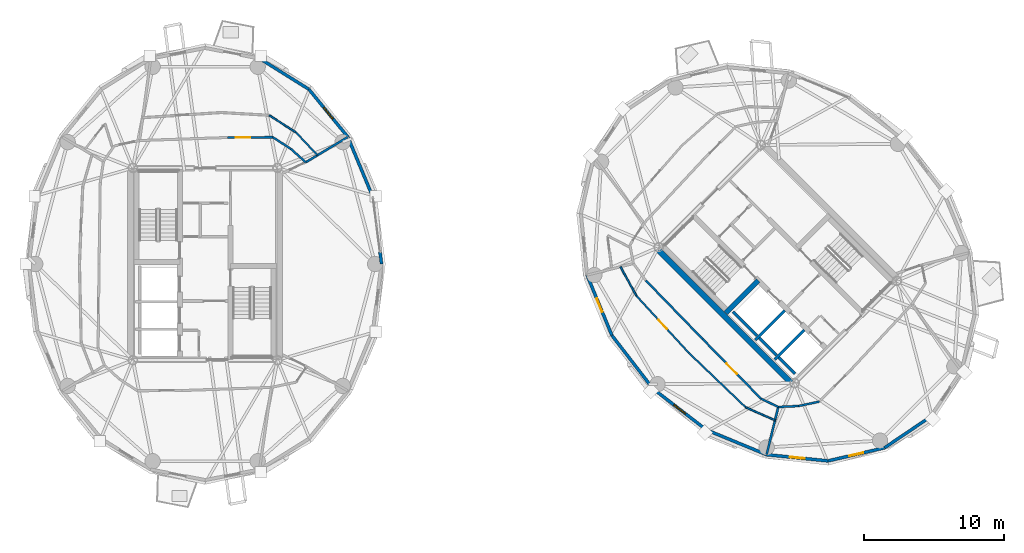
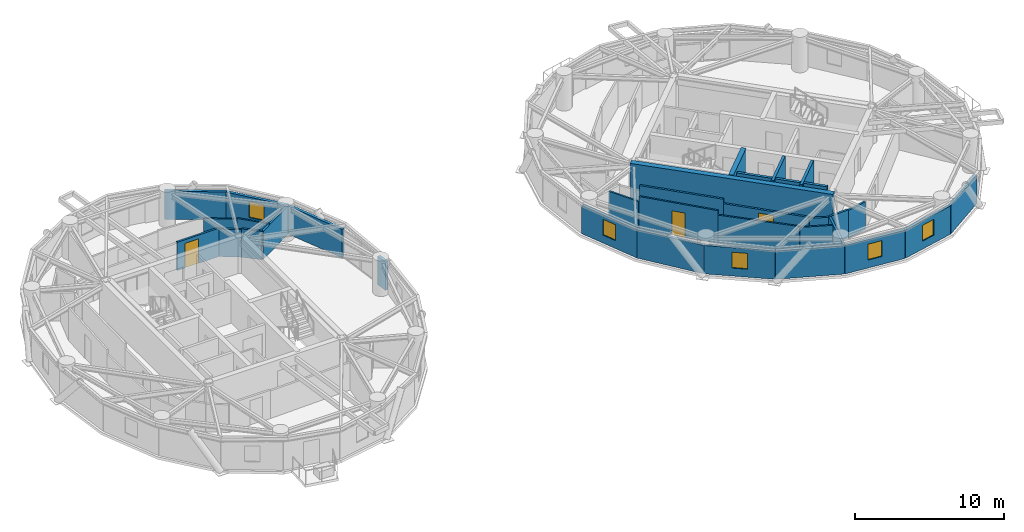
# One storey, part 10 of 16: 34 walls, 5 windows, 3 doors, 8 openings.
"""IFC4 building model written with IfcOpenShell, lengths in metres."""

import ifcopenshell
import ifcopenshell.guid

model = None  # the IFC model being written
_history = None  # IfcOwnerHistory: only IFC2X3 demands one
_inside = {}  # id of a spatial element -> (the spatial element, [elements in it])
_under = {}  # id of a project, library or spatial element -> (it, [spatial elements below it])
_declared = {}  # id of a project -> (the project, [libraries it declares])
_typed = {}  # id of a type object -> (the type object, [elements of that type])
_made_of = {}  # id of a material, layer set ... -> (it, [elements and type objects made of it])


def new_model(schema):
    """Start an empty IFC model of exactly this schema.

    Asked for "IFC4X3", IfcOpenShell would pick the latest addendum, in which some entities
    have other attributes; the version numbers below select the first issue.
    IFC2X3 requires an IfcOwnerHistory on every rooted entity: one is made here for all.
    """
    global model, _history
    if schema == "IFC4X3":
        model = ifcopenshell.file(schema_version=(4, 3, 0, 0))
    else:
        model = ifcopenshell.file(schema=schema)
    _inside.clear()
    _under.clear()
    _declared.clear()
    _typed.clear()
    _made_of.clear()
    _history = None
    if model.schema == "IFC2X3":
        org = make("IfcOrganization", Name="unknown")
        user = make(
            "IfcPersonAndOrganization",
            ThePerson=make("IfcPerson", FamilyName="unknown"),
            TheOrganization=org,
        )
        app = make(
            "IfcApplication",
            ApplicationDeveloper=org,
            Version="unknown",
            ApplicationFullName="unknown",
            ApplicationIdentifier="unknown",
        )
        _history = make(
            "IfcOwnerHistory",
            OwningUser=user,
            OwningApplication=app,
            ChangeAction="ADDED",
            CreationDate=0,
        )
    return model


def make(cls, **values):
    """One entity of the class cls with the attributes given. An attribute that is None is left unset."""
    return model.create_entity(
        cls, **{name: value for name, value in values.items() if value is not None}
    )


def rooted(cls, **values):
    """An entity with a GlobalId (a new one), such as an element, a storey or a relation."""
    return make(cls, GlobalId=ifcopenshell.guid.new(), OwnerHistory=_history, **values)


def si_unit(unit_type, name, prefix=None):
    """IfcSIUnit, for example si_unit("LENGTHUNIT", "METRE", prefix="MILLI")."""
    return make("IfcSIUnit", UnitType=unit_type, Prefix=prefix, Name=name)


def assignment(units):
    """IfcUnitAssignment: the units of a project."""
    return None if units is None else make("IfcUnitAssignment", Units=units)


def point(xyz):
    """IfcCartesianPoint."""
    return None if xyz is None else make("IfcCartesianPoint", Coordinates=xyz)


def direction(xyz):
    """IfcDirection."""
    return None if xyz is None else make("IfcDirection", DirectionRatios=xyz)


def frame(location, z_axis=None, x_axis=None):
    """IfcAxis2Placement3D, a coordinate frame: its origin and axes. An axis left out is left unset."""
    return make(
        "IfcAxis2Placement3D",
        Location=point(location),
        Axis=direction(z_axis),
        RefDirection=direction(x_axis),
    )


def frame_2d(location, x_axis=None):
    """IfcAxis2Placement2D, a coordinate frame in the plane: its origin and x axis."""
    return make(
        "IfcAxis2Placement2D", Location=point(location), RefDirection=direction(x_axis)
    )


def origin():
    """The frame at (0, 0, 0) with its axes left unset."""
    return frame((0.0, 0.0, 0.0))


def place(relative_to, where):
    """IfcLocalPlacement: puts the frame where relative to a parent placement (None: the world)."""
    return make(
        "IfcLocalPlacement", PlacementRelTo=relative_to, RelativePlacement=where
    )


def context(
    kind, dimensions, precision=None, world=None, true_north=None, identifier=None
):
    """IfcGeometricRepresentationContext, for example the 3D "Model" context."""
    return make(
        "IfcGeometricRepresentationContext",
        ContextIdentifier=identifier,
        ContextType=kind,
        CoordinateSpaceDimension=dimensions,
        Precision=precision,
        WorldCoordinateSystem=world,
        TrueNorth=true_north,
    )


def subcontext(parent, identifier, kind, view, scale=None):
    """IfcGeometricRepresentationSubContext, for example "Body" below "Model"."""
    return make(
        "IfcGeometricRepresentationSubContext",
        ContextIdentifier=identifier,
        ContextType=kind,
        ParentContext=parent,
        TargetScale=scale,
        TargetView=view,
    )


def project(units=None, contexts=None):
    """IfcProject with its units and contexts."""
    return rooted(
        "IfcProject",
        Name="project",
        RepresentationContexts=contexts,
        UnitsInContext=assignment(units),
    )


def spatial(cls, under=None, at=None, **own):
    """A site, building, storey or space (cls), placed at a placement, below another one or the project."""
    s = rooted(cls, ObjectPlacement=at, **own)
    if under is not None:
        _under.setdefault(under.id(), (under, []))[1].append(s)
    return s


def profile(cls, at=None, kind="AREA", **sizes):
    """A parametric profile (cls). Its sizes go by their IFC names, for example OverallWidth=200.0."""
    return make(cls, ProfileType=kind, Position=at, **sizes)


def rectangle(**sizes):
    """IfcRectangleProfileDef."""
    return profile("IfcRectangleProfileDef", **sizes)


def extrude(swept, where, along, depth):
    """IfcExtrudedAreaSolid: the profile swept, set in the frame where, extruded along a direction by depth."""
    return make(
        "IfcExtrudedAreaSolid",
        SweptArea=swept,
        Position=where,
        ExtrudedDirection=direction(along),
        Depth=depth,
    )


def shape(context_of_items, identifier, shape_type, items):
    """IfcShapeRepresentation: the items that make up one representation, for example the "Body"."""
    return make(
        "IfcShapeRepresentation",
        ContextOfItems=context_of_items,
        RepresentationIdentifier=identifier,
        RepresentationType=shape_type,
        Items=items,
    )


def source(mapping_origin, context_of_items, identifier, shape_type, items):
    """IfcRepresentationMap: a shape defined once, which mapped items show again and again."""
    return make(
        "IfcRepresentationMap",
        MappingOrigin=mapping_origin,
        MappedRepresentation=shape(context_of_items, identifier, shape_type, items),
    )


def transform(
    local_origin,
    x_axis=None,
    y_axis=None,
    z_axis=None,
    scale=None,
    scale2=None,
    scale3=None,
    uniform=True,
):
    """IfcCartesianTransformationOperator3D, or its non-uniform kind. x_axis, y_axis, z_axis: its Axis1, 2, 3."""
    if uniform:
        return make(
            "IfcCartesianTransformationOperator3D",
            Axis1=direction(x_axis),
            Axis2=direction(y_axis),
            LocalOrigin=point(local_origin),
            Scale=scale,
            Axis3=direction(z_axis),
        )
    return make(
        "IfcCartesianTransformationOperator3DnonUniform",
        Axis1=direction(x_axis),
        Axis2=direction(y_axis),
        LocalOrigin=point(local_origin),
        Scale=scale,
        Axis3=direction(z_axis),
        Scale2=scale2,
        Scale3=scale3,
    )


def mapped(mapping_source, mapping_target):
    """IfcMappedItem: shows the shape of a source again, moved by a transform."""
    return make(
        "IfcMappedItem", MappingSource=mapping_source, MappingTarget=mapping_target
    )


def material(Name=None, Category=None):
    """IfcMaterial."""
    return make("IfcMaterial", Name=Name, Category=Category)


def layer(
    of_material, thickness, ventilated=None, Name=None, Category=None, Priority=None
):
    """IfcMaterialLayer: one layer of a wall or slab, of a material (None: an air gap)."""
    return make(
        "IfcMaterialLayer",
        Material=of_material,
        LayerThickness=thickness,
        IsVentilated=ventilated,
        Name=Name,
        Category=Category,
        Priority=Priority,
    )


def layer_set(layers, Name=None):
    """IfcMaterialLayerSet."""
    return make("IfcMaterialLayerSet", MaterialLayers=layers, LayerSetName=Name)


def made_of(thing, what):
    """Note that an element or type object is made of a material, layer set ...; save() writes the relation."""
    if what is not None:
        _made_of.setdefault(what.id(), (what, []))[1].append(thing)
    return thing


def type_object(cls, material=None, **own):
    """A type object (cls), such as IfcWallType, which elements share."""
    return made_of(rooted(cls, **own), material)


def element(
    cls,
    number,
    at=None,
    inside=None,
    cuts=None,
    type_object=None,
    material=None,
    context=None,
    identifier="Body",
    shape_type=None,
    held_by="IfcProductDefinitionShape",
    body=None,
    shapes=None,
    **own,
):
    """One element of the class cls, such as IfcWall. Its Tag is "e" and its number.

    at: its placement. inside: the storey or other place that contains it. cuts: it is an
    opening in that element (IfcRelVoidsElement). A single representation is given by context,
    identifier, shape_type and body (its items); several are given by shapes. held_by: the class
    of the entity that holds the representations. save() writes the other relations.
    """
    e = rooted(cls, Tag="e%d" % number, ObjectPlacement=at, **own)
    if body is not None:
        shapes = [shape(context, identifier, shape_type, body)]
    if shapes is not None:
        e.Representation = make(held_by, Representations=shapes)
    if inside is not None:
        _inside.setdefault(inside.id(), (inside, []))[1].append(e)
    if cuts is not None:
        rooted(
            "IfcRelVoidsElement", RelatingBuildingElement=cuts, RelatedOpeningElement=e
        )
    if type_object is not None:
        _typed.setdefault(type_object.id(), (type_object, []))[1].append(e)
    return made_of(e, material)


def fill(opening, filler):
    """IfcRelFillsElement: the door or window that sits in an opening."""
    return rooted(
        "IfcRelFillsElement",
        RelatingOpeningElement=opening,
        RelatedBuildingElement=filler,
    )


def aggregate(whole, parts):
    """IfcRelAggregates: a whole, such as a stair, and the parts it consists of."""
    return rooted("IfcRelAggregates", RelatingObject=whole, RelatedObjects=parts)


def save(model, path):
    """Write the relations noted so far, then the file.

    IfcRelAggregates (storeys below a building ...), IfcRelContainedInSpatialStructure (elements
    in a storey), IfcRelDefinesByType, IfcRelAssociatesMaterial and IfcRelDeclares: one each for
    every whole, place, type object, material and project.
    """
    for whole, parts in _under.values():
        aggregate(whole, parts)
    for where, things in _inside.values():
        rooted(
            "IfcRelContainedInSpatialStructure",
            RelatedElements=things,
            RelatingStructure=where,
        )
    for kind, things in _typed.values():
        rooted("IfcRelDefinesByType", RelatedObjects=things, RelatingType=kind)
    for what, things in _made_of.values():
        rooted("IfcRelAssociatesMaterial", RelatedObjects=things, RelatingMaterial=what)
    for by, libraries in _declared.values():
        rooted("IfcRelDeclares", RelatingContext=by, RelatedDefinitions=libraries)
    model.write(path)


model = new_model("IFC4")

# Units and contexts
model_context = context("Model", 3, precision=1e-05, world=origin(), true_north=direction((0.0, 1.0)))
body_context = subcontext(model_context, "Body", "Model", "MODEL_VIEW")
ifc_project = project(units=[si_unit("LENGTHUNIT", "METRE"), si_unit("AREAUNIT", "SQUARE_METRE"), si_unit("VOLUMEUNIT", "CUBIC_METRE"), si_unit("PLANEANGLEUNIT", "RADIAN"), si_unit("MASSUNIT", "GRAM", prefix="KILO")], contexts=[model_context])

# Site, building, storey
site_placement = place(None, origin())
site = spatial("IfcSite", under=ifc_project, at=site_placement, CompositionType="ELEMENT")
building_placement = place(site_placement, origin())
building = spatial("IfcBuilding", under=site, at=building_placement, Name="Cununo Teusaquillo Station Towers", CompositionType="ELEMENT")
storey_placement = place(building_placement, frame((0.0, 0.0, 214.1201171875)))
storey = spatial("IfcBuildingStorey", under=building, at=storey_placement, Name="L68", CompositionType="ELEMENT", Elevation=214.1201171875)

# Walls
ifc_material_1 = material(Name="Concrete C50/60", Category="concrete")
ifc_layer_1 = layer(ifc_material_1, 0.199951171875)
ifc_layer_set_1 = layer_set([ifc_layer_1], Name="Concrete C50/60")
wall_type_1 = type_object("IfcWallType", Name="WL-CORE-200", PredefinedType="SHEAR", material=ifc_layer_set_1)
wall_1_placement = place(storey_placement, frame((55.8876953125, 19.0693359375, 0.0), z_axis=(0.0, 0.0, 1.0), x_axis=(0.707106781187, 0.707106781187, 0.0)))
element("IfcWall", 1, at=wall_1_placement, inside=storey, type_object=wall_type_1, Name="L68 Tower B Firefighting Lift Shaft South Shear Wall", PredefinedType="SHEAR", context=body_context, shape_type="SweptSolid", body=[
    extrude(rectangle(XDim=2.969970703125, YDim=0.199951171875, at=frame_2d((1.48486328125, 0.0))), origin(), (0.0, 0.0, 1.0), 2.909912109375),
])
wall_2_placement = place(storey_placement, frame((56.01513671875, 19.366455078125, 0.0), z_axis=(0.0, 0.0, 1.0), x_axis=(-0.707106781187, 0.707106781187, 0.0)))
element("IfcWall", 2, at=wall_2_placement, inside=storey, type_object=wall_type_1, Name="L68 Tower B Firefighting Lift Shaft Rear Shear Wall", PredefinedType="SHEAR", context=body_context, shape_type="SweptSolid", body=[
    extrude(rectangle(XDim=2.43994140625, YDim=0.199951171875, at=frame_2d((1.219970703125, 0.0))), origin(), (0.0, 0.0, 1.0), 2.909912109375),
])
wall_3_placement = place(storey_placement, frame((57.2841796875, 17.6728515625, 0.0), z_axis=(0.0, 0.0, 1.0), x_axis=(0.707147878904, 0.70706568108, 0.0)))
element("IfcWall", 3, at=wall_3_placement, inside=storey, type_object=wall_type_1, Name="L68 Tower B High-Rise Lift Hoistway Divider Shear Wall", PredefinedType="SHEAR", context=body_context, shape_type="SweptSolid", body=[
    extrude(rectangle(XDim=2.97021484375, YDim=0.199951171875, at=frame_2d((1.485107421875, 0.0))), origin(), (0.0, 0.0, 1.0), 2.909912109375),
])
wall_4_placement = place(storey_placement, frame((57.41162109375, 17.969970703125, 0.0), z_axis=(0.0, 0.0, 1.0), x_axis=(-0.707106781187, 0.707106781187, 0.0)))
element("IfcWall", 4, at=wall_4_placement, inside=storey, type_object=wall_type_1, Name="L68 Tower B High-Rise Lift 2 Shaft Rear Shear Wall", PredefinedType="SHEAR", context=body_context, shape_type="SweptSolid", body=[
    extrude(rectangle(XDim=1.73486328125, YDim=0.199951171875, at=frame_2d((0.867431640625, 0.0))), origin(), (0.0, 0.0, 1.0), 2.909912109375),
])
wall_5_placement = place(storey_placement, frame((58.7373046875, 16.64404296875, 0.0), z_axis=(0.0, 0.0, 1.0), x_axis=(-0.707032117043, 0.707181437447, 0.0)))
element("IfcWall", 5, at=wall_5_placement, inside=storey, type_object=wall_type_1, Name="L68 Tower B High-Rise Lift 1 Shaft Rear Shear Wall", PredefinedType="SHEAR", context=body_context, shape_type="SweptSolid", body=[
    extrude(rectangle(XDim=1.635009765625, YDim=0.199951171875, at=frame_2d((0.8173828125, 0.0))), origin(), (0.0, 0.0, 1.0), 2.909912109375),
])
ifc_material_2 = material(Name="Concrete C50/60", Category="concrete")
ifc_layer_2 = layer(ifc_material_2, 0.35009765625)
ifc_layer_set_2 = layer_set([ifc_layer_2], Name="Concrete C50/60")
wall_type_2 = type_object("IfcWallType", Name="WL-CORE-350", PredefinedType="SHEAR", material=ifc_layer_set_2)
wall_6_placement = place(storey_placement, frame((53.7841796875, 21.00341796875, 0.0), z_axis=(0.0, 0.0, 1.0), x_axis=(0.707106781187, 0.707106781187, 0.0)))
element("IfcWall", 6, at=wall_6_placement, inside=storey, type_object=wall_type_2, Name="L68 Tower B Core Shear Wall ST1S", PredefinedType="SHEAR", context=body_context, shape_type="SweptSolid", body=[
    extrude(rectangle(XDim=3.284912109375, YDim=0.35009765625, at=frame_2d((1.642578125, 0.0))), origin(), (0.0, 0.0, 1.0), 2.909912109375),
])
ifc_material_3 = material(Name="Concrete C50/60", Category="concrete")
ifc_layer_3 = layer(ifc_material_3, 0.39990234375)
ifc_layer_set_3 = layer_set([ifc_layer_3], Name="Concrete C50/60")
wall_type_3 = type_object("IfcWallType", Name="WL-CORE-400", PredefinedType="SHEAR", material=ifc_layer_set_3)
wall_7_placement = place(storey_placement, frame((58.7021484375, 15.73193359375, 0.0), z_axis=(0.0, 0.0, 1.0), x_axis=(-0.707106781187, 0.707106781187, 0.0)))
element("IfcWall", 7, at=wall_7_placement, inside=storey, type_object=wall_type_3, Name="L68 Tower B Core Shear Wall W", PredefinedType="SHEAR", context=body_context, shape_type="SweptSolid", body=[
    extrude(rectangle(XDim=14.10009765625, YDim=0.39990234375, at=frame_2d((7.050048828125, 0.0))), origin(), (0.0, 0.0, 1.0), 2.909912109375),
])
ifc_material_4 = material(Name="Precast concrete C40/50", Category="concrete")
ifc_layer_4 = layer(ifc_material_4, 0.219970703125)
ifc_layer_set_4 = layer_set([ifc_layer_4], Name="Precast concrete C40/50")
wall_type_4 = type_object("IfcWallType", Name="WL-EXT-220", PredefinedType="SOLIDWALL", material=ifc_layer_set_4)
wall_8_placement = place(storey_placement, frame((29.018310546875, 25.36279296875, 0.0), z_axis=(0.0, 0.0, 1.0), x_axis=(0.128247365719, -0.991742211054, 0.0)))
element("IfcWall", 8, at=wall_8_placement, inside=storey, type_object=wall_type_4, Name="L68 Tower A Column Pier Cladding Wall C00-PB", PredefinedType="SOLIDWALL", context=body_context, shape_type="SweptSolid", body=[
    extrude(rectangle(XDim=0.869873046875, YDim=0.219970703125, at=frame_2d((0.43505859375, 0.0))), origin(), (0.0, 0.0, 1.0), 2.32177734375),
])
wall_9_placement = place(storey_placement, frame((26.718017578125, 33.593017578125, 0.0), z_axis=(0.0, 0.0, 1.0), x_axis=(0.384036305194, -0.923317993052, 0.0)))
element("IfcWall", 9, at=wall_9_placement, inside=storey, type_object=wall_type_4, Name="L68 Tower A Exterior Facade Wall C01", PredefinedType="SOLIDWALL", context=body_context, shape_type="SweptSolid", body=[
    extrude(rectangle(XDim=4.670654296875, YDim=0.219970703125, at=frame_2d((2.33544921875, 0.0))), origin(), (0.0, 0.0, 1.0), 2.32177734375),
])

# Wall, opening, window
wall_10_placement = place(storey_placement, frame((23.923583984375, 37.015380859375, 0.0), z_axis=(0.0, 0.0, 1.0), x_axis=(0.632467166636, -0.774587169483, 0.0)))
wall_10 = element("IfcWall", 10, at=wall_10_placement, inside=storey, type_object=wall_type_4, Name="L68 Tower A Exterior Facade Wall C02", PredefinedType="SOLIDWALL", context=body_context, shape_type="SweptSolid", body=[
    extrude(rectangle(XDim=4.418212890625, YDim=0.219970703125, at=frame_2d((2.208984375, 0.0))), origin(), (0.0, 0.0, 1.0), 2.32177734375),
])
shared_shape_1 = source(origin(), body_context, "Body", "SweptSolid", [
    extrude(rectangle(XDim=1.050048828125, YDim=1.300048828125, at=frame_2d((0.52490234375, 0.64990234375))), frame((0.0, 0.119873046875, 0.0), z_axis=(0.0, -1.0, 0.0), x_axis=(1.0, 0.0, 0.0)), (0.0, 0.0, 1.0), 0.239990234375),
])
opening_1_placement = place(wall_10_placement, frame((1.68408203125, 0.0, 0.64990234375)))
opening_1 = element("IfcOpeningElement", 11, at=opening_1_placement, cuts=wall_10, Name="Opening WN-04", PredefinedType="OPENING", context=body_context, shape_type="MappedRepresentation", body=[
    mapped(shared_shape_1, transform((0.0, 0.0, 0.0), x_axis=(1.0, 0.0, 0.0), y_axis=(0.0, 1.0, 0.0), z_axis=(0.0, 0.0, 1.0), scale=1.0)),
])
ifc_material_5 = material(Name="Operable acoustic tinted low-E double glazing", Category="glass")
window_type = type_object("IfcWindowType", Name="WIN-BAL-1050", PartitioningType="SINGLE_PANEL", PredefinedType="WINDOW", material=ifc_material_5)
shared_shape_2 = source(origin(), body_context, "Body", "SweptSolid", [
    extrude(rectangle(XDim=1.050048828125, YDim=1.300048828125, at=frame_2d((0.52490234375, 0.64990234375))), frame((0.0, 0.030029296875, 0.0), z_axis=(0.0, -1.0, 0.0), x_axis=(1.0, 0.0, 0.0)), (0.0, 0.0, 1.0), 0.06005859375),
])
window_1_placement = place(opening_1_placement, origin())
window_1 = element("IfcWindow", 12, at=window_1_placement, inside=storey, type_object=window_type, Name="L68 Tower A Facade Window C02", OverallHeight=1.300048828125, OverallWidth=1.050048828125, PartitioningType="SINGLE_PANEL", PredefinedType="WINDOW", context=body_context, shape_type="MappedRepresentation", body=[
    mapped(shared_shape_2, transform((0.0, 0.0, 0.0), x_axis=(1.0, 0.0, 0.0), y_axis=(0.0, 1.0, 0.0), z_axis=(0.0, 0.0, 1.0), scale=1.0)),
])
fill(opening_1, window_1)

# Wall
wall_11_placement = place(storey_placement, frame((20.40283203125, 39.212890625, 0.0), z_axis=(0.0, 0.0, 1.0), x_axis=(0.848318713376, -0.529485939886, 0.0)))
element("IfcWall", 13, at=wall_11_placement, inside=storey, type_object=wall_type_4, Name="L68 Tower A Exterior Facade Wall C03", PredefinedType="SOLIDWALL", context=body_context, shape_type="SweptSolid", body=[
    extrude(rectangle(XDim=4.150390625, YDim=0.219970703125, at=frame_2d((2.0751953125, 0.0))), origin(), (0.0, 0.0, 1.0), 2.32177734375),
])

# Wall, opening, window
wall_12_placement = place(storey_placement, frame((45.626220703125, 19.38671875, 0.0), z_axis=(0.0, 0.0, 1.0), x_axis=(-0.381309704956, 0.924447353237, 0.0)))
wall_12 = element("IfcWall", 14, at=wall_12_placement, inside=storey, type_object=wall_type_4, Name="L68 Tower B Exterior Facade Wall C08", PredefinedType="SOLIDWALL", context=body_context, shape_type="SweptSolid", body=[
    extrude(rectangle(XDim=4.670654296875, YDim=0.219970703125, at=frame_2d((2.33544921875, 0.0))), origin(), (0.0, 0.0, 1.0), 2.32177734375),
])
opening_2_placement = place(wall_12_placement, frame((1.81005859375, 0.0, 0.64990234375)))
opening_2 = element("IfcOpeningElement", 15, at=opening_2_placement, cuts=wall_12, Name="Opening WN-04", PredefinedType="OPENING", context=body_context, shape_type="MappedRepresentation", body=[
    mapped(shared_shape_1, transform((0.0, 0.0, 0.0), x_axis=(1.0, 0.0, 0.0), y_axis=(0.0, 1.0, 0.0), z_axis=(0.0, 0.0, 1.0), scale=1.0)),
])
window_2_placement = place(opening_2_placement, origin())
window_2 = element("IfcWindow", 16, at=window_2_placement, inside=storey, type_object=window_type, Name="L68 Tower B Facade Window C08", OverallHeight=1.300048828125, OverallWidth=1.050048828125, PartitioningType="SINGLE_PANEL", PredefinedType="WINDOW", context=body_context, shape_type="MappedRepresentation", body=[
    mapped(shared_shape_2, transform((0.0, 0.0, 0.0), x_axis=(1.0, 0.0, 0.0), y_axis=(0.0, 1.0, 0.0), z_axis=(0.0, 0.0, 1.0), scale=1.0)),
])
fill(opening_2, window_2)

# Wall
wall_13_placement = place(storey_placement, frame((48.569091796875, 15.569091796875, 0.0), z_axis=(0.0, 0.0, 1.0), x_axis=(-0.610523083886, 0.791998462147, 0.0)))
element("IfcWall", 17, at=wall_13_placement, inside=storey, type_object=wall_type_4, Name="L68 Tower B Exterior Facade Wall C09", PredefinedType="SOLIDWALL", context=body_context, shape_type="SweptSolid", body=[
    extrude(rectangle(XDim=4.8203125, YDim=0.219970703125, at=frame_2d((2.41015625, 0.0))), origin(), (0.0, 0.0, 1.0), 2.32177734375),
])

# Wall, opening, window
wall_14_placement = place(storey_placement, frame((52.38671875, 12.626220703125, 0.0), z_axis=(0.0, 0.0, 1.0), x_axis=(-0.791998462147, 0.610523083886, 0.0)))
wall_14 = element("IfcWall", 18, at=wall_14_placement, inside=storey, type_object=wall_type_4, Name="L68 Tower B Exterior Facade Wall C10", PredefinedType="SOLIDWALL", context=body_context, shape_type="SweptSolid", body=[
    extrude(rectangle(XDim=4.8203125, YDim=0.219970703125, at=frame_2d((2.41015625, 0.0))), origin(), (0.0, 0.0, 1.0), 2.32177734375),
])
opening_3_placement = place(wall_14_placement, frame((1.885009765625, 0.0, 0.64990234375)))
opening_3 = element("IfcOpeningElement", 19, at=opening_3_placement, cuts=wall_14, Name="Opening WN-04", PredefinedType="OPENING", context=body_context, shape_type="MappedRepresentation", body=[
    mapped(shared_shape_1, transform((0.0, 0.0, 0.0), x_axis=(1.0, 0.0, 0.0), y_axis=(0.0, 1.0, 0.0), z_axis=(0.0, 0.0, 1.0), scale=1.0)),
])
window_3_placement = place(opening_3_placement, origin())
window_3 = element("IfcWindow", 20, at=window_3_placement, inside=storey, type_object=window_type, Name="L68 Tower B Facade Window C10", OverallHeight=1.300048828125, OverallWidth=1.050048828125, PartitioningType="SINGLE_PANEL", PredefinedType="WINDOW", context=body_context, shape_type="MappedRepresentation", body=[
    mapped(shared_shape_2, transform((0.0, 0.0, 0.0), x_axis=(1.0, 0.0, 0.0), y_axis=(0.0, 1.0, 0.0), z_axis=(0.0, 0.0, 1.0), scale=1.0)),
])
fill(opening_3, window_3)

# Wall
wall_15_placement = place(storey_placement, frame((56.70458984375, 10.84521484375, 0.0), z_axis=(0.0, 0.0, 1.0), x_axis=(-0.924447353237, 0.381309704956, 0.0)))
element("IfcWall", 21, at=wall_15_placement, inside=storey, type_object=wall_type_4, Name="L68 Tower B Exterior Facade Wall C11", PredefinedType="SOLIDWALL", context=body_context, shape_type="SweptSolid", body=[
    extrude(rectangle(XDim=4.670654296875, YDim=0.219970703125, at=frame_2d((2.33544921875, 0.0))), origin(), (0.0, 0.0, 1.0), 2.32177734375),
])

# Wall, opening, window
wall_16_placement = place(storey_placement, frame((61.100341796875, 10.40087890625, 0.0), z_axis=(0.0, 0.0, 1.0), x_axis=(-0.994929930991, 0.100570534541, 0.0)))
wall_16 = element("IfcWall", 22, at=wall_16_placement, inside=storey, type_object=wall_type_4, Name="L68 Tower B Exterior Facade Wall C12", PredefinedType="SOLIDWALL", context=body_context, shape_type="SweptSolid", body=[
    extrude(rectangle(XDim=4.418212890625, YDim=0.219970703125, at=frame_2d((2.208984375, 0.0))), origin(), (0.0, 0.0, 1.0), 2.32177734375),
])
opening_4_placement = place(wall_16_placement, frame((1.68408203125, 0.0, 0.64990234375)))
opening_4 = element("IfcOpeningElement", 23, at=opening_4_placement, cuts=wall_16, Name="Opening WN-04", PredefinedType="OPENING", context=body_context, shape_type="MappedRepresentation", body=[
    mapped(shared_shape_1, transform((0.0, 0.0, 0.0), x_axis=(1.0, 0.0, 0.0), y_axis=(0.0, 1.0, 0.0), z_axis=(0.0, 0.0, 1.0), scale=1.0)),
])
window_4_placement = place(opening_4_placement, origin())
window_4 = element("IfcWindow", 24, at=window_4_placement, inside=storey, type_object=window_type, Name="L68 Tower B Facade Window C12", OverallHeight=1.300048828125, OverallWidth=1.050048828125, PartitioningType="SINGLE_PANEL", PredefinedType="WINDOW", context=body_context, shape_type="MappedRepresentation", body=[
    mapped(shared_shape_2, transform((0.0, 0.0, 0.0), x_axis=(1.0, 0.0, 0.0), y_axis=(0.0, 1.0, 0.0), z_axis=(0.0, 0.0, 1.0), scale=1.0)),
])
fill(opening_4, window_4)

wall_17_placement = place(storey_placement, frame((65.143798828125, 11.336669921875, 0.0), z_axis=(0.0, 0.0, 1.0), x_axis=(-0.974249228678, -0.225473813158, 0.0)))
wall_17 = element("IfcWall", 25, at=wall_17_placement, inside=storey, type_object=wall_type_4, Name="L68 Tower B Exterior Facade Wall C13", PredefinedType="SOLIDWALL", context=body_context, shape_type="SweptSolid", body=[
    extrude(rectangle(XDim=4.150390625, YDim=0.219970703125, at=frame_2d((2.0751953125, 0.0))), origin(), (0.0, 0.0, 1.0), 2.32177734375),
])
opening_5_placement = place(wall_17_placement, frame((1.550048828125, 0.0, 0.64990234375)))
opening_5 = element("IfcOpeningElement", 26, at=opening_5_placement, cuts=wall_17, Name="Opening WN-04", PredefinedType="OPENING", context=body_context, shape_type="MappedRepresentation", body=[
    mapped(shared_shape_1, transform((0.0, 0.0, 0.0), x_axis=(1.0, 0.0, 0.0), y_axis=(0.0, 1.0, 0.0), z_axis=(0.0, 0.0, 1.0), scale=1.0)),
])
window_5_placement = place(opening_5_placement, origin())
window_5 = element("IfcWindow", 27, at=window_5_placement, inside=storey, type_object=window_type, Name="L68 Tower B Facade Window C13", OverallHeight=1.300048828125, OverallWidth=1.050048828125, PartitioningType="SINGLE_PANEL", PredefinedType="WINDOW", context=body_context, shape_type="MappedRepresentation", body=[
    mapped(shared_shape_2, transform((0.0, 0.0, 0.0), x_axis=(1.0, 0.0, 0.0), y_axis=(0.0, 1.0, 0.0), z_axis=(0.0, 0.0, 1.0), scale=1.0)),
])
fill(opening_5, window_5)

# Walls
wall_18_placement = place(storey_placement, frame((68.43896484375, 13.56103515625, 0.0), z_axis=(0.0, 0.0, 1.0), x_axis=(-0.828833723692, -0.559495003079, 0.0)))
element("IfcWall", 28, at=wall_18_placement, inside=storey, type_object=wall_type_4, Name="L68 Tower B Exterior Facade Wall C14", PredefinedType="SOLIDWALL", context=body_context, shape_type="SweptSolid", body=[
    extrude(rectangle(XDim=3.9755859375, YDim=0.219970703125, at=frame_2d((1.98779296875, 0.0))), origin(), (0.0, 0.0, 1.0), 2.32177734375),
])
ifc_material_6 = material(Name="Fire-rated gypsum plasterboard partition assembly", Category="gypsum")
ifc_layer_5 = layer(ifc_material_6, 0.125)
ifc_layer_set_5 = layer_set([ifc_layer_5], Name="Fire-rated gypsum plasterboard partition assembly")
wall_type_5 = type_object("IfcWallType", Name="WL-PART-125", PredefinedType="PARTITIONING", material=ifc_layer_set_5)
wall_19_placement = place(storey_placement, frame((24.54150390625, 32.288330078125, 0.0), z_axis=(0.0, 0.0, 1.0), x_axis=(-0.68501091047, 0.72853280814, 0.0)))
element("IfcWall", 29, at=wall_19_placement, inside=storey, type_object=wall_type_5, Name="L68 Tower A Summit Champagne & Dining Salon Concentric Partition Wall C02", PredefinedType="PARTITIONING", context=body_context, shape_type="SweptSolid", body=[
    extrude(rectangle(XDim=2.2607421875, YDim=0.125, at=frame_2d((1.13037109375, 0.0))), origin(), (0.0, 0.0, 1.0), 2.32177734375),
])
wall_20_placement = place(storey_placement, frame((22.992919921875, 33.935302734375, 0.0), z_axis=(0.0, 0.0, 1.0), x_axis=(-0.844312558894, 0.535851008112, 0.0)))
element("IfcWall", 30, at=wall_20_placement, inside=storey, type_object=wall_type_5, Name="L68 Tower A Summit Champagne & Dining Salon Concentric Partition Wall C03", PredefinedType="PARTITIONING", context=body_context, shape_type="SweptSolid", body=[
    extrude(rectangle(XDim=2.267578125, YDim=0.125, at=frame_2d((1.1337890625, 0.0))), origin(), (0.0, 0.0, 1.0), 2.2548828125),
])
wall_21_placement = place(storey_placement, frame((46.239501953125, 24.306884765625, 0.0), z_axis=(0.0, 0.0, 1.0), x_axis=(0.479212341296, -0.87769899849, 0.0)))
element("IfcWall", 31, at=wall_21_placement, inside=storey, type_object=wall_type_5, Name="L68 Tower B Cordillera Pinnacle Club Concentric Partition Wall C08", PredefinedType="PARTITIONING", context=body_context, shape_type="SweptSolid", body=[
    extrude(rectangle(XDim=2.3740234375, YDim=0.125, at=frame_2d((1.18701171875, 0.0))), origin(), (0.0, 0.0, 1.0), 2.2548828125),
])

# Wall, opening, door
wall_22_placement = place(storey_placement, frame((47.377197265625, 22.22314453125, 0.0), z_axis=(0.0, 0.0, 1.0), x_axis=(0.676554417653, -0.736392639802, 0.0)))
wall_22 = element("IfcWall", 32, at=wall_22_placement, inside=storey, type_object=wall_type_5, Name="L68 Tower B Cordillera Pinnacle Club Concentric Partition Wall C09", PredefinedType="PARTITIONING", context=body_context, shape_type="SweptSolid", body=[
    extrude(rectangle(XDim=5.552978515625, YDim=0.125, at=frame_2d((2.7763671875, 0.0))), origin(), (0.0, 0.0, 1.0), 2.684814453125),
])
shared_shape_3 = source(origin(), body_context, "Body", "SweptSolid", [
    extrude(rectangle(XDim=0.89990234375, YDim=2.0048828125, at=frame_2d((0.449951171875, 1.00244140625))), frame((0.0, 0.072509765625, 0.0), z_axis=(0.0, -1.0, 0.0), x_axis=(1.0, 0.0, 0.0)), (0.0, 0.0, 1.0), 0.14501953125),
])
opening_6_placement = place(wall_22_placement, frame((2.326416015625, 0.0, 0.0)))
opening_6 = element("IfcOpeningElement", 33, at=opening_6_placement, cuts=wall_22, Name="Opening D-IN1", PredefinedType="OPENING", context=body_context, shape_type="MappedRepresentation", body=[
    mapped(shared_shape_3, transform((0.0, 0.0, 0.0), x_axis=(1.0, 0.0, 0.0), y_axis=(0.0, 1.0, 0.0), z_axis=(0.0, 0.0, 1.0), scale=1.0)),
])
ifc_material_7 = material(Name="Acoustic solid-core hardwood leaf assembly", Category="wood")
door_type_1 = type_object("IfcDoorType", Name="DR-INT-900", OperationType="NOTDEFINED", PredefinedType="DOOR", material=ifc_material_7)
shared_shape_4 = source(origin(), body_context, "Body", "SweptSolid", [
    extrude(rectangle(XDim=0.89990234375, YDim=2.0048828125, at=frame_2d((0.449951171875, 1.00244140625))), frame((0.0, 0.02490234375, 0.0), z_axis=(0.0, -1.0, 0.0), x_axis=(1.0, 0.0, 0.0)), (0.0, 0.0, 1.0), 0.050048828125),
])
door_1_placement = place(opening_6_placement, origin())
door_1 = element("IfcDoor", 34, at=door_1_placement, inside=storey, type_object=door_type_1, Name="L68 Tower B Cordillera Pinnacle Club Connecting Door", OperationType="SINGLE_SWING_LEFT", OverallHeight=2.0048828125, OverallWidth=0.89990234375, PredefinedType="DOOR", context=body_context, shape_type="MappedRepresentation", body=[
    mapped(shared_shape_4, transform((0.0, 0.0, 0.0), x_axis=(1.0, 0.0, 0.0), y_axis=(0.0, 1.0, 0.0), z_axis=(0.0, 0.0, 1.0), scale=1.0)),
])
fill(opening_6, door_1)

# Walls
wall_23_placement = place(storey_placement, frame((51.134033203125, 18.134033203125, 0.0), z_axis=(0.0, 0.0, 1.0), x_axis=(0.722450775654, -0.691422357721, 0.0)))
element("IfcWall", 35, at=wall_23_placement, inside=storey, type_object=wall_type_5, Name="L68 Tower B Cordillera Pinnacle Club Concentric Partition Wall C10", PredefinedType="PARTITIONING", context=body_context, shape_type="SweptSolid", body=[
    extrude(rectangle(XDim=5.6337890625, YDim=0.125, at=frame_2d((2.81689453125, 0.0))), origin(), (0.0, 0.0, 1.0), 2.32177734375),
])
wall_24_placement = place(storey_placement, frame((55.2041015625, 14.23876953125, 0.0), z_axis=(0.0, 0.0, 1.0), x_axis=(0.914999746908, -0.403454412738, 0.0)))
element("IfcWall", 36, at=wall_24_placement, inside=storey, type_object=wall_type_5, Name="L68 Tower B Cordillera Pinnacle Club Concentric Partition Wall C11", PredefinedType="PARTITIONING", context=body_context, shape_type="SweptSolid", body=[
    extrude(rectangle(XDim=2.297119140625, YDim=0.125, at=frame_2d((1.1484375, 0.0))), origin(), (0.0, 0.0, 1.0), 2.2548828125),
])
ifc_material_8 = material(Name="Fire-rated gypsum plasterboard partition assembly", Category="gypsum")
ifc_layer_6 = layer(ifc_material_8, 0.14990234375)
ifc_layer_set_6 = layer_set([ifc_layer_6], Name="Fire-rated gypsum plasterboard partition assembly")
wall_type_6 = type_object("IfcWallType", Name="WL-PART-150", PredefinedType="PARTITIONING", material=ifc_layer_set_6)
wall_25_placement = place(storey_placement, frame((23.701416015625, 31.78564453125, 0.0), z_axis=(0.0, 0.0, 1.0), x_axis=(-0.743742806382, 0.668465883913, 0.0)))
element("IfcWall", 37, at=wall_25_placement, inside=storey, type_object=wall_type_6, Name="L68 Tower A Corridor Ring Wall C02", PredefinedType="PARTITIONING", context=body_context, shape_type="SweptSolid", body=[
    extrude(rectangle(XDim=1.43359375, YDim=0.14990234375, at=frame_2d((0.716796875, 0.0))), origin(), (0.0, 0.0, 1.0), 2.32177734375),
])
wall_26_placement = place(storey_placement, frame((22.63525390625, 32.743896484375, 0.0), z_axis=(0.0, 0.0, 1.0), x_axis=(-0.840119270642, 0.542401706391, 0.0)))
element("IfcWall", 38, at=wall_26_placement, inside=storey, type_object=wall_type_6, Name="L68 Tower A Corridor Ring Wall C03", PredefinedType="PARTITIONING", context=body_context, shape_type="SweptSolid", body=[
    extrude(rectangle(XDim=1.53759765625, YDim=0.14990234375, at=frame_2d((0.768798828125, 0.0))), origin(), (0.0, 0.0, 1.0), 2.2548828125),
])

# Wall, opening, door
wall_27_placement = place(storey_placement, frame((21.343505859375, 33.577880859375, 0.0), z_axis=(0.0, 0.0, 1.0), x_axis=(-0.999984243152, -0.005613684, 0.0)))
wall_27 = element("IfcWall", 39, at=wall_27_placement, inside=storey, type_object=wall_type_6, Name="L68 Tower A Corridor Ring Wall C04", PredefinedType="PARTITIONING", context=body_context, shape_type="SweptSolid", body=[
    extrude(rectangle(XDim=3.26171875, YDim=0.14990234375, at=frame_2d((1.630859375, 0.0))), origin(), (0.0, 0.0, 1.0), 2.32177734375),
])
shared_shape_5 = source(origin(), body_context, "Body", "SweptSolid", [
    extrude(rectangle(XDim=1.050048828125, YDim=2.014892578125, at=frame_2d((0.52490234375, 1.00732421875))), frame((0.0, 0.0849609375, 0.0), z_axis=(0.0, -1.0, 0.0), x_axis=(1.0, 0.0, 0.0)), (0.0, 0.0, 1.0), 0.169921875),
])
opening_7_placement = place(wall_27_placement, frame((1.598876953125, 0.0, 0.0)))
opening_7 = element("IfcOpeningElement", 40, at=opening_7_placement, cuts=wall_27, Name="Opening D-SU1", PredefinedType="OPENING", context=body_context, shape_type="MappedRepresentation", body=[
    mapped(shared_shape_5, transform((0.0, 0.0, 0.0), x_axis=(1.0, 0.0, 0.0), y_axis=(0.0, 1.0, 0.0), z_axis=(0.0, 0.0, 1.0), scale=1.0)),
])
ifc_material_9 = material(Name="Acoustic solid-core hardwood leaf assembly", Category="wood")
door_type_2 = type_object("IfcDoorType", Name="DR-SUITE-1050", OperationType="NOTDEFINED", PredefinedType="DOOR", material=ifc_material_9)
shared_shape_6 = source(origin(), body_context, "Body", "SweptSolid", [
    extrude(rectangle(XDim=1.050048828125, YDim=2.014892578125, at=frame_2d((0.52490234375, 1.00732421875))), frame((0.0, 0.02490234375, 0.0), z_axis=(0.0, -1.0, 0.0), x_axis=(1.0, 0.0, 0.0)), (0.0, 0.0, 1.0), 0.050048828125),
])
door_2_placement = place(opening_7_placement, origin())
door_2 = element("IfcDoor", 41, at=door_2_placement, inside=storey, type_object=door_type_2, Name="L68 Tower A Summit Champagne & Dining Salon Entrance Door", OperationType="SINGLE_SWING_LEFT", OverallHeight=2.014892578125, OverallWidth=1.050048828125, PredefinedType="DOOR", context=body_context, shape_type="MappedRepresentation", body=[
    mapped(shared_shape_6, transform((0.0, 0.0, 0.0), x_axis=(1.0, 0.0, 0.0), y_axis=(0.0, 1.0, 0.0), z_axis=(0.0, 0.0, 1.0), scale=1.0)),
])
fill(opening_7, door_2)

# Wall
wall_28_placement = place(storey_placement, frame((48.051513671875, 23.32275390625, 0.0), z_axis=(0.0, 0.0, 1.0), x_axis=(0.696573981306, -0.717484974454, 0.0)))
element("IfcWall", 42, at=wall_28_placement, inside=storey, type_object=wall_type_6, Name="L68 Tower B Corridor Ring Wall C09", PredefinedType="PARTITIONING", context=body_context, shape_type="SweptSolid", body=[
    extrude(rectangle(XDim=5.849365234375, YDim=0.14990234375, at=frame_2d((2.9248046875, 0.0))), origin(), (0.0, 0.0, 1.0), 2.684814453125),
])

# Wall, opening, door
wall_29_placement = place(storey_placement, frame((52.1259765625, 19.1259765625, 0.0), z_axis=(0.0, 0.0, 1.0), x_axis=(0.698979087027, -0.715142108884, 0.0)))
wall_29 = element("IfcWall", 43, at=wall_29_placement, inside=storey, type_object=wall_type_6, Name="L68 Tower B Corridor Ring Wall C10", PredefinedType="PARTITIONING", context=body_context, shape_type="SweptSolid", body=[
    extrude(rectangle(XDim=5.96630859375, YDim=0.14990234375, at=frame_2d((2.983154296875, 0.0))), origin(), (0.0, 0.0, 1.0), 2.32177734375),
])
opening_8_placement = place(wall_29_placement, frame((2.458251953125, 0.0, 0.0)))
opening_8 = element("IfcOpeningElement", 44, at=opening_8_placement, cuts=wall_29, Name="Opening D-SU1", PredefinedType="OPENING", context=body_context, shape_type="MappedRepresentation", body=[
    mapped(shared_shape_5, transform((0.0, 0.0, 0.0), x_axis=(1.0, 0.0, 0.0), y_axis=(0.0, 1.0, 0.0), z_axis=(0.0, 0.0, 1.0), scale=1.0)),
])
door_3_placement = place(opening_8_placement, origin())
door_3 = element("IfcDoor", 45, at=door_3_placement, inside=storey, type_object=door_type_2, Name="L68 Tower B Cordillera Pinnacle Club Entrance Door", OperationType="SINGLE_SWING_RIGHT", OverallHeight=2.014892578125, OverallWidth=1.050048828125, PredefinedType="DOOR", context=body_context, shape_type="MappedRepresentation", body=[
    mapped(shared_shape_6, transform((0.0, 0.0, 0.0), x_axis=(1.0, 0.0, 0.0), y_axis=(0.0, 1.0, 0.0), z_axis=(0.0, 0.0, 1.0), scale=1.0)),
])
fill(opening_8, door_3)

# Walls
wall_30_placement = place(storey_placement, frame((56.29638671875, 14.859130859375, 0.0), z_axis=(0.0, 0.0, 1.0), x_axis=(0.90178292445, -0.432189260823, 0.0)))
element("IfcWall", 46, at=wall_30_placement, inside=storey, type_object=wall_type_6, Name="L68 Tower B Corridor Ring Wall C11", PredefinedType="PARTITIONING", context=body_context, shape_type="SweptSolid", body=[
    extrude(rectangle(XDim=1.377197265625, YDim=0.14990234375, at=frame_2d((0.6884765625, 0.0))), origin(), (0.0, 0.0, 1.0), 2.2548828125),
])
wall_31_placement = place(storey_placement, frame((57.538330078125, 14.263916015625, 0.0), z_axis=(0.0, 0.0, 1.0), x_axis=(0.99892990172, 0.046249880546, 0.0)))
element("IfcWall", 47, at=wall_31_placement, inside=storey, type_object=wall_type_6, Name="L68 Tower B Corridor Ring Wall C12", PredefinedType="PARTITIONING", context=body_context, shape_type="SweptSolid", body=[
    extrude(rectangle(XDim=1.4462890625, YDim=0.14990234375, at=frame_2d((0.72314453125, 0.0))), origin(), (0.0, 0.0, 1.0), 2.32177734375),
])
wall_32_placement = place(storey_placement, frame((58.983154296875, 14.330810546875, 0.0), z_axis=(0.0, 0.0, 1.0), x_axis=(0.978328007546, 0.207061125397, 0.0)))
element("IfcWall", 48, at=wall_32_placement, inside=storey, type_object=wall_type_6, Name="L68 Tower B Corridor Ring Wall C13", PredefinedType="PARTITIONING", context=body_context, shape_type="SweptSolid", body=[
    extrude(rectangle(XDim=1.533935546875, YDim=0.14990234375, at=frame_2d((0.76708984375, 0.0))), origin(), (0.0, 0.0, 1.0), 2.2548828125),
])
ifc_material_10 = material(Name="Fire-rated gypsum plasterboard partition assembly", Category="gypsum")
ifc_layer_7 = layer(ifc_material_10, 0.159912109375)
ifc_layer_set_7 = layer_set([ifc_layer_7], Name="Fire-rated gypsum plasterboard partition assembly")
wall_type_7 = type_object("IfcWallType", Name="WL-PART-160", PredefinedType="PARTITIONING", material=ifc_layer_set_7)
wall_33_placement = place(storey_placement, frame((23.701416015625, 31.78564453125, 0.0), z_axis=(0.0, 0.0, 1.0), x_axis=(0.858059206709, 0.513550774298, 0.0)))
element("IfcWall", 49, at=wall_33_placement, inside=storey, type_object=wall_type_7, Name="L68 Tower A Radial Suite Partition R01", PredefinedType="PARTITIONING", context=body_context, shape_type="SweptSolid", body=[
    extrude(rectangle(XDim=3.49658203125, YDim=0.159912109375, at=frame_2d((1.748291015625, 0.0))), origin(), (0.0, 0.0, 1.0), 2.32177734375),
])
wall_34_placement = place(storey_placement, frame((57.538330078125, 14.263916015625, 0.0), z_axis=(0.0, 0.0, 1.0), x_axis=(-0.237377006249, -0.971417601706, 0.0)))
element("IfcWall", 50, at=wall_34_placement, inside=storey, type_object=wall_type_7, Name="L68 Tower B Radial Suite Partition R04", PredefinedType="PARTITIONING", context=body_context, shape_type="SweptSolid", body=[
    extrude(rectangle(XDim=3.4990234375, YDim=0.159912109375, at=frame_2d((1.74951171875, 0.0))), origin(), (0.0, 0.0, 1.0), 2.32177734375),
])

save(model, "model.ifc")
